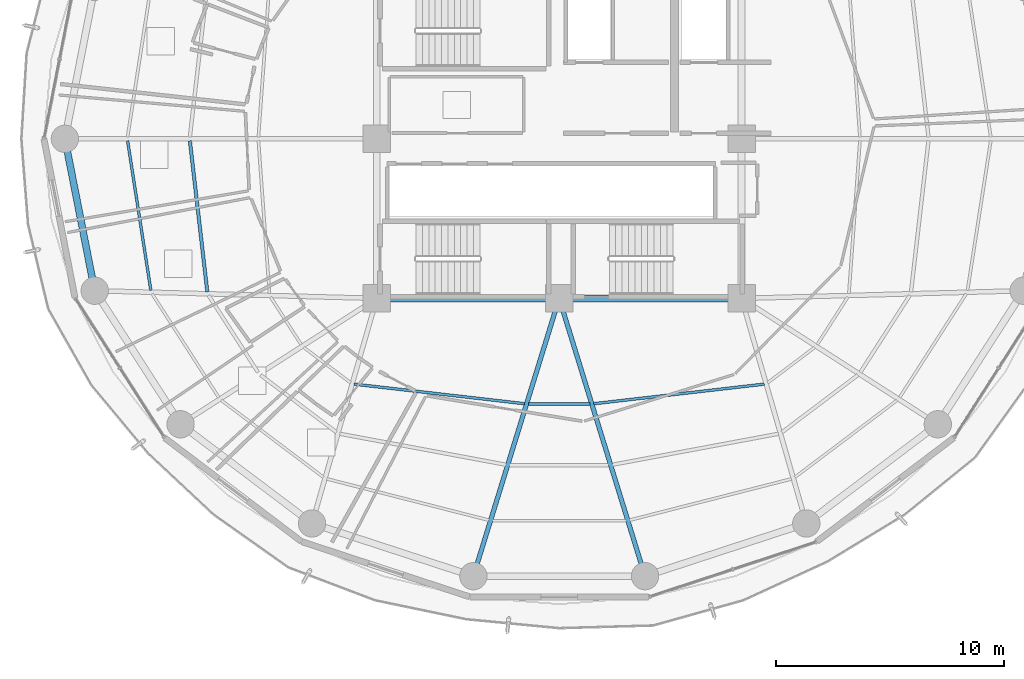
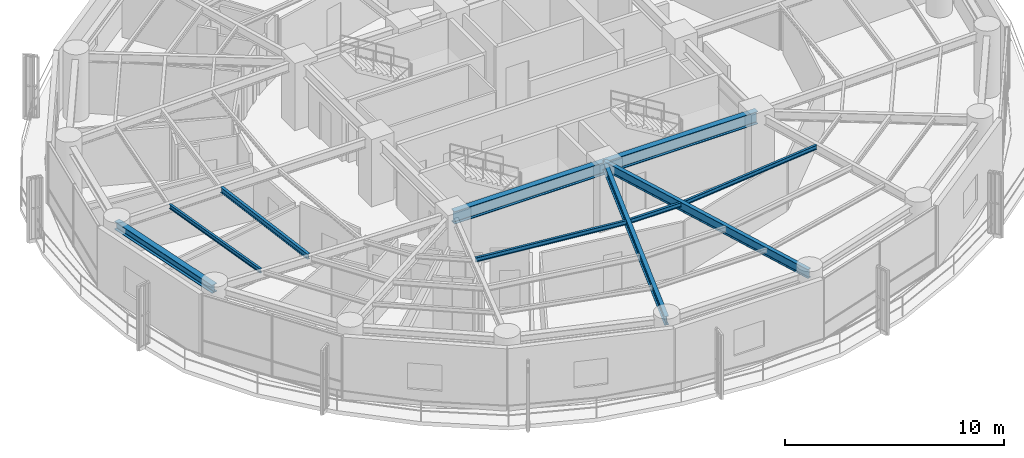
# One storey, part 5 of 28: 10 beams.
"""IFC4 building model written with IfcOpenShell, lengths in metres."""

from ifc_helpers import new_model, si_unit, direction, frame, origin, origin_2d, place, context, subcontext, project, spatial, i_section, extrude, material, material_profile, profile_set, type_object, element, save


model = new_model("IFC4")

# Units and contexts
model_context = context("Model", 3, precision=1e-05, world=origin(), true_north=direction((0.0, 1.0)))
body_context = subcontext(model_context, "Body", "Model", "MODEL_VIEW")
ifc_project = project(units=[si_unit("LENGTHUNIT", "METRE"), si_unit("AREAUNIT", "SQUARE_METRE"), si_unit("VOLUMEUNIT", "CUBIC_METRE"), si_unit("PLANEANGLEUNIT", "RADIAN"), si_unit("MASSUNIT", "GRAM", prefix="KILO")], contexts=[model_context])

# Site, building, storey
site_placement = place(None, origin())
site = spatial("IfcSite", under=ifc_project, at=site_placement, CompositionType="ELEMENT")
building_placement = place(site_placement, origin())
building = spatial("IfcBuilding", under=site, at=building_placement, Name="Kelanora Arch Commons", CompositionType="ELEMENT")
storey_placement = place(building_placement, frame((0.0, 0.0, 158.10009765625)))
storey = spatial("IfcBuildingStorey", under=building, at=storey_placement, Name="L40", CompositionType="ELEMENT", Elevation=158.10009765625)

# Beams
ifc_material = material(Name="Steel S355", Category="steel")
ifc_material_profile_1 = material_profile(ifc_material, i_section(OverallWidth=0.300048828125, OverallDepth=0.699951171875, WebThickness=0.01708984375, FlangeThickness=0.031982421875, FilletRadius=0.027099609375, at=origin_2d()), Name="HEB700")
ifc_profile_set_1 = profile_set([ifc_material_profile_1], Name="Steel S355")
beam_type_1 = type_object("IfcBeamType", Name="BM-CORE-HDR", PredefinedType="BEAM", material=ifc_profile_set_1)
for number, where, z_axis, x_axis, name in (
    (1, (66.0, 51.0, 3.139892578125), (1.0, 0.0, 0.0), (0.0, 1.0, 0.0), "Core Header Beam 01 L40"),
    (2, (74.0, 51.0, 3.139892578125), (1.0, 0.0, 0.0), (0.0, 1.0, 0.0), "Core Header Beam 02 L40"),
):
    element("IfcBeam", number, at=place(storey_placement, frame(where, z_axis=z_axis, x_axis=x_axis)), inside=storey, type_object=beam_type_1, Name=name, PredefinedType="BEAM", context=body_context, shape_type="SweptSolid", body=[
        extrude(i_section(OverallWidth=0.300048828125, OverallDepth=0.699951171875, WebThickness=0.01708984375, FlangeThickness=0.031982421875, FilletRadius=0.027099609375, at=origin_2d()), origin(), (0.0, 0.0, 1.0), 8.0),
    ])
ifc_material_profile_2 = material_profile(ifc_material, i_section(OverallWidth=0.14990234375, OverallDepth=0.300048828125, WebThickness=0.007080078125, FlangeThickness=0.0107421875, FilletRadius=0.014892578125, at=origin_2d()), Name="IPE300")
ifc_profile_set_2 = profile_set([ifc_material_profile_2], Name="Steel S355")
beam_type_2 = type_object("IfcBeamType", Name="BM-JST-01", PredefinedType="JOIST", material=ifc_profile_set_2)
beam_1_placement = place(storey_placement, frame((57.8017578125, 57.91552734375, 3.33984375), z_axis=(0.114667159005, -0.9934039675, 0.0), x_axis=(0.9934039675, 0.114667159005, 0.0)))
element("IfcBeam", 3, at=beam_1_placement, inside=storey, type_object=beam_type_2, Name="Secondary Chord Joist BJB-18 L40", PredefinedType="JOIST", context=body_context, shape_type="SweptSolid", body=[
    extrude(i_section(OverallWidth=0.14990234375, OverallDepth=0.300048828125, WebThickness=0.007080078125, FlangeThickness=0.0107421875, FilletRadius=0.014892578125, at=origin_2d()), origin(), (0.0, 0.0, 1.0), 6.672607421875),
])
ifc_material_profile_3 = material_profile(ifc_material, i_section(OverallWidth=0.1201171875, OverallDepth=0.239990234375, WebThickness=0.006103515625, FlangeThickness=0.009765625, FilletRadius=0.014892578125, at=origin_2d()), Name="IPE240")
ifc_profile_set_3 = profile_set([ifc_material_profile_3], Name="Steel S355")
beam_type_3 = type_object("IfcBeamType", Name="BM-JST-02", PredefinedType="JOIST", material=ifc_profile_set_3)
beam_2_placement = place(storey_placement, frame((55.069091796875, 57.916015625, 3.369873046875), z_axis=(0.153562625853, -0.988138917329, 0.0), x_axis=(0.988138917329, 0.153562625853, 0.0)))
element("IfcBeam", 4, at=beam_2_placement, inside=storey, type_object=beam_type_3, Name="Secondary Chord Joist BJC-18 L40", PredefinedType="JOIST", context=body_context, shape_type="SweptSolid", body=[
    extrude(i_section(OverallWidth=0.1201171875, OverallDepth=0.239990234375, WebThickness=0.006103515625, FlangeThickness=0.009765625, FilletRadius=0.014892578125, at=origin_2d()), origin(), (0.0, 0.0, 1.0), 6.640869140625),
])
beam_3_placement = place(storey_placement, frame((65.005126953125, 47.239501953125, 3.369873046875), z_axis=(0.993457414184, -0.114203179475, 0.0), x_axis=(0.114203179475, 0.993457414184, 0.0)))
element("IfcBeam", 5, at=beam_3_placement, inside=storey, type_object=beam_type_3, Name="Secondary Chord Joist BJA-24 L40", PredefinedType="JOIST", context=body_context, shape_type="SweptSolid", body=[
    extrude(i_section(OverallWidth=0.1201171875, OverallDepth=0.239990234375, WebThickness=0.006103515625, FlangeThickness=0.009765625, FilletRadius=0.014892578125, at=origin_2d()), origin(), (0.0, 0.0, 1.0), 7.529296875),
])
beam_4_placement = place(storey_placement, frame((72.654296875, 46.3701171875, 3.369873046875), z_axis=(1.0, 0.0, 0.0), x_axis=(0.0, 1.0, 0.0)))
element("IfcBeam", 6, at=beam_4_placement, inside=storey, type_object=beam_type_3, Name="Secondary Chord Joist BJA-26 L40", PredefinedType="JOIST", context=body_context, shape_type="SweptSolid", body=[
    extrude(i_section(OverallWidth=0.1201171875, OverallDepth=0.239990234375, WebThickness=0.006103515625, FlangeThickness=0.009765625, FilletRadius=0.014892578125, at=origin_2d()), origin(), (0.0, 0.0, 1.0), 2.69140625),
])
beam_5_placement = place(storey_placement, frame((75.514892578125, 46.379638671875, 3.369873046875), z_axis=(0.993457414184, 0.114203179475, 0.0), x_axis=(-0.114203179475, 0.993457414184, 0.0)))
element("IfcBeam", 7, at=beam_5_placement, inside=storey, type_object=beam_type_3, Name="Secondary Chord Joist BJA-28 L40", PredefinedType="JOIST", context=body_context, shape_type="SweptSolid", body=[
    extrude(i_section(OverallWidth=0.1201171875, OverallDepth=0.239990234375, WebThickness=0.006103515625, FlangeThickness=0.009765625, FilletRadius=0.014892578125, at=origin_2d()), origin(), (0.0, 0.0, 1.0), 7.529296875),
])
ifc_material_profile_4 = material_profile(ifc_material, i_section(OverallWidth=0.199951171875, OverallDepth=0.5, WebThickness=0.01025390625, FlangeThickness=0.01611328125, FilletRadius=0.02099609375, at=origin_2d()), Name="IPE500")
ifc_profile_set_4 = profile_set([ifc_material_profile_4], Name="Steel S355")
beam_type_4 = type_object("IfcBeamType", Name="BM-RAD-Z3", PredefinedType="BEAM", material=ifc_profile_set_4)
for number, where, z_axis, x_axis, name in (
    (8, (74.0, 51.0, 3.239990234375), (-0.295210315095, -0.955432294755, 0.0), (0.955432294755, -0.295210315095, 0.0), "Radial Floor Girder BR-26 L40"),
    (9, (74.0, 51.0, 3.239990234375), (0.295210315095, -0.955432294755, 0.0), (0.955432294755, 0.295210315095, 0.0), "Radial Floor Girder BR-28 L40"),
):
    element("IfcBeam", number, at=place(storey_placement, frame(where, z_axis=z_axis, x_axis=x_axis)), inside=storey, type_object=beam_type_4, Name=name, PredefinedType="BEAM", context=body_context, shape_type="SweptSolid", body=[
        extrude(i_section(OverallWidth=0.199951171875, OverallDepth=0.5, WebThickness=0.01025390625, FlangeThickness=0.01611328125, FilletRadius=0.02099609375, at=origin_2d()), origin(), (0.0, 0.0, 1.0), 12.75244140625),
    ])
ifc_material_profile_5 = material_profile(ifc_material, i_section(OverallWidth=0.300048828125, OverallDepth=0.449951171875, WebThickness=0.013916015625, FlangeThickness=0.02587890625, FilletRadius=0.027099609375, at=origin_2d()), Name="HEB450")
ifc_profile_set_5 = profile_set([ifc_material_profile_5], Name="Steel S355")
beam_type_5 = type_object("IfcBeamType", Name="BM-SPN-Z3", PredefinedType="SPANDREL", material=ifc_profile_set_5)
beam_6_placement = place(storey_placement, frame((52.320068359375, 58.0, 3.264892578125), z_axis=(0.192553643556, -0.981286448675, 0.0), x_axis=(0.981286448675, 0.192553643556, 0.0)))
element("IfcBeam", 10, at=beam_6_placement, inside=storey, type_object=beam_type_5, Name="Perimeter Spandrel Beam BS-18 L40", PredefinedType="SPANDREL", context=body_context, shape_type="SweptSolid", body=[
    extrude(i_section(OverallWidth=0.300048828125, OverallDepth=0.449951171875, WebThickness=0.013916015625, FlangeThickness=0.02587890625, FilletRadius=0.027099609375, at=origin_2d()), origin(), (0.0, 0.0, 1.0), 6.78955078125),
])

save(model, "model.ifc")
